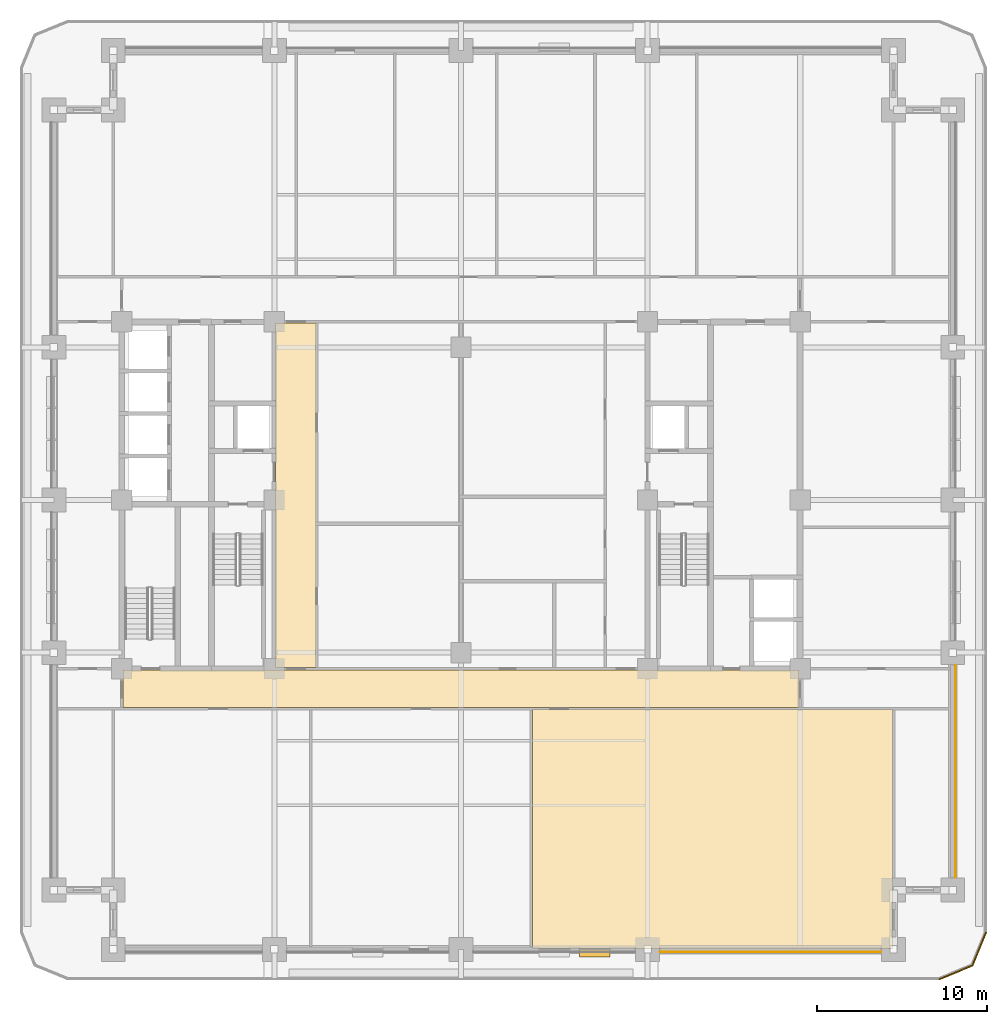
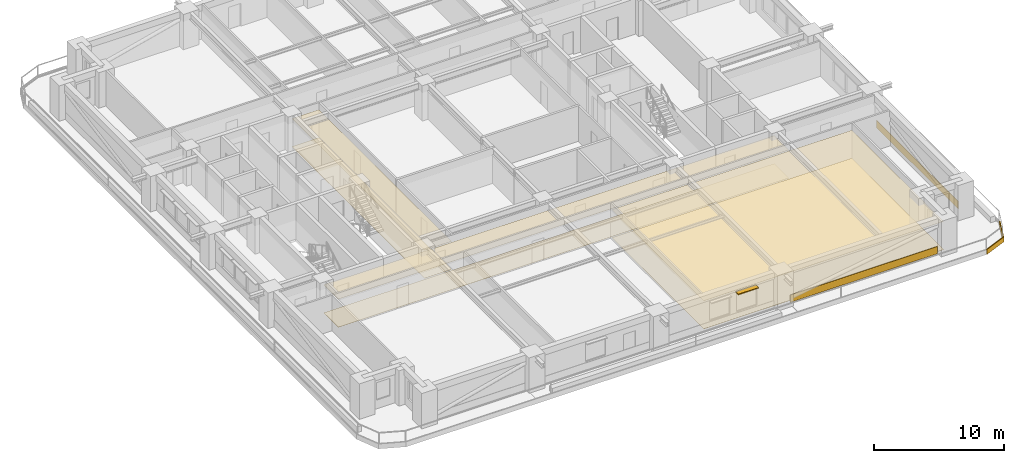
# One storey, part 11 of 14: 10 coverings, 1 shading device.
"""IFC4 building model written with IfcOpenShell, lengths in metres."""

from ifc_helpers import new_model, si_unit, direction, frame, frame_2d, origin, place, context, subcontext, project, spatial, polyline, rectangle, outline, extrude, material, layer, layer_set, type_object, element, save


model = new_model("IFC4")

# Units and contexts
model_context = context("Model", 3, precision=1e-05, world=origin(), true_north=direction((0.0, 1.0)))
body_context = subcontext(model_context, "Body", "Model", "MODEL_VIEW")
ifc_project = project(units=[si_unit("LENGTHUNIT", "METRE"), si_unit("AREAUNIT", "SQUARE_METRE"), si_unit("VOLUMEUNIT", "CUBIC_METRE"), si_unit("PLANEANGLEUNIT", "RADIAN"), si_unit("MASSUNIT", "GRAM", prefix="KILO")], contexts=[model_context])

# Site, building, storey
site_placement = place(None, origin())
site = spatial("IfcSite", under=ifc_project, at=site_placement, CompositionType="ELEMENT")
building_placement = place(site_placement, origin())
building = spatial("IfcBuilding", under=site, at=building_placement, Name="Zulmaris Gate Convention Tower", CompositionType="ELEMENT")
storey_placement = place(building_placement, frame((0.0, 0.0, 45.050048828125)))
storey = spatial("IfcBuildingStorey", under=building, at=storey_placement, Name="L10", CompositionType="ELEMENT", Elevation=45.050048828125)

# Coverings
ifc_material_1 = material(Name="Precast concrete C40/50", Category="concrete")
ifc_layer_1 = layer(ifc_material_1, 0.0400390625, Name="Precast concrete C40/50")
ifc_layer_set_1 = layer_set([ifc_layer_1], Name="Precast concrete C40/50")
covering_type_1 = type_object("IfcCoveringType", Name="CLAD-SPANDREL-PRECAST", PredefinedType="CLADDING", material=ifc_layer_set_1)
covering_1_placement = place(storey_placement, frame((11.72998046875, -26.64990234375, 0.0), z_axis=(0.0, 0.0, 1.0), x_axis=(1.0, 0.0, 0.0)))
element("IfcCovering", 1, at=covering_1_placement, inside=storey, type_object=covering_type_1, Name="CLD-L10-S-3_0", PredefinedType="CLADDING", context=body_context, shape_type="SweptSolid", body=[
    extrude(rectangle(XDim=13.0400390625, YDim=0.0400390625, at=frame_2d((6.52001953125, 0.0))), origin(), (0.0, 0.0, 1.0), 0.679931640625),
])
covering_2_placement = place(storey_placement, frame((29.14990234375, -22.27001953125, 0.0), z_axis=(0.0, 0.0, 1.0), x_axis=(0.0, 1.0, 0.0)))
element("IfcCovering", 2, at=covering_2_placement, inside=storey, type_object=covering_type_1, Name="CLD-L10-E-0_0", PredefinedType="CLADDING", context=body_context, shape_type="SweptSolid", body=[
    extrude(rectangle(XDim=12.5400390625, YDim=0.0400390625, at=frame_2d((6.27001953125, 0.0))), origin(), (0.0, 0.0, 1.0), 0.679931640625),
])
ifc_material_2 = material(Name="White Glazed Architectural Precast Concrete C40/50", Category="concrete")
ifc_layer_2 = layer(ifc_material_2, 0.080078125, Name="White Glazed Architectural Precast Concrete C40/50")
ifc_layer_set_2 = layer_set([ifc_layer_2], Name="White Glazed Architectural Precast Concrete C40/50")
covering_type_2 = type_object("IfcCoveringType", Name="CLAD-TRAY-FASCIA", PredefinedType="CLADDING", material=ifc_layer_set_2)
covering_3_placement = place(storey_placement, frame((28.184814453125, -28.262939453125, -0.2900390625), z_axis=(0.0, 0.0, 1.0), x_axis=(0.923873803533, 0.382697263049, 0.0)))
element("IfcCovering", 3, at=covering_3_placement, inside=storey, type_object=covering_type_2, Name="FSC-L10-TR-03", PredefinedType="CLADDING", context=body_context, shape_type="SweptSolid", body=[
    extrude(rectangle(XDim=2.142822265625, YDim=0.080078125, at=frame_2d((1.0712890625, 0.0))), origin(), (0.0, 0.0, 1.0), 0.4599609375),
])
covering_4_placement = place(storey_placement, frame((30.142822265625, -27.464599609375, -0.2900390625), z_axis=(0.0, 0.0, 1.0), x_axis=(0.382656984709, 0.923890487046, 0.0)))
element("IfcCovering", 4, at=covering_4_placement, inside=storey, type_object=covering_type_2, Name="FSC-L10-TR-04", PredefinedType="CLADDING", context=body_context, shape_type="SweptSolid", body=[
    extrude(rectangle(XDim=2.14306640625, YDim=0.080078125, at=frame_2d((1.071533203125, 0.0))), origin(), (0.0, 0.0, 1.0), 0.4599609375),
])
ifc_material_3 = material(Name="Mineral Fibre Acoustic Ceiling Tile")
ifc_layer_3 = layer(ifc_material_3, 0.02001953125, Name="Mineral Fibre Acoustic Ceiling Tile")
ifc_layer_set_3 = layer_set([ifc_layer_3], Name="Mineral Fibre Acoustic Ceiling Tile")
covering_type_3 = type_object("IfcCoveringType", Name="CLG-ACOUSTIC-600", PredefinedType="CEILING", material=ifc_layer_set_3)
covering_5_placement = place(storey_placement, frame((0.0, 0.0, 2.6279296875)))
element("IfcCovering", 5, at=covering_5_placement, inside=storey, type_object=covering_type_3, Name="CLG-L10-R27", PredefinedType="CEILING", context=body_context, shape_type="SweptSolid", body=[
    extrude(outline(polyline([(-19.93994140625, -12.239990234375), (19.93994140625, -12.239990234375), (19.93994140625, -10.010009765625), (-19.93994140625, -10.010009765625), (-19.93994140625, -12.239990234375)])), origin(), (0.0, 0.0, 1.0), 0.02001953125),
])
covering_6_placement = place(storey_placement, frame((0.0, 0.0, 2.6279296875)))
element("IfcCovering", 6, at=covering_6_placement, inside=storey, type_object=covering_type_3, Name="CLG-L10-R28", PredefinedType="CEILING", context=body_context, shape_type="SweptSolid", body=[
    extrude(outline(polyline([(-10.93994140625, -9.889892578125), (-8.56005859375, -9.889892578125), (-8.56005859375, 10.43994140625), (-10.93994140625, 10.43994140625), (-10.93994140625, -9.889892578125)])), origin(), (0.0, 0.0, 1.0), 0.02001953125),
])
covering_7_placement = place(storey_placement, frame((0.0, 0.0, 2.6279296875)))
element("IfcCovering", 7, at=covering_7_placement, inside=storey, type_object=covering_type_3, Name="CLG-L10-R38", PredefinedType="CEILING", context=body_context, shape_type="SweptSolid", body=[
    extrude(outline(polyline([(4.2099609375, -26.43994140625), (25.43994140625, -26.43994140625), (25.43994140625, -12.360107421875), (4.2099609375, -12.360107421875), (4.2099609375, -26.43994140625)])), origin(), (0.0, 0.0, 1.0), 0.02001953125),
])
ifc_material_4 = material(Name="Woven Acoustic Wool Carpet Tile")
ifc_layer_4 = layer(ifc_material_4, 0.02001953125, Name="Woven Acoustic Wool Carpet Tile")
ifc_layer_set_4 = layer_set([ifc_layer_4], Name="Woven Acoustic Wool Carpet Tile")
covering_type_4 = type_object("IfcCoveringType", Name="FLR-CARPET-12", PredefinedType="FLOORING", material=ifc_layer_set_4)
covering_8_placement = place(storey_placement, origin())
element("IfcCovering", 8, at=covering_8_placement, inside=storey, type_object=covering_type_4, Name="FLR-L10-R27", PredefinedType="FLOORING", context=body_context, shape_type="SweptSolid", body=[
    extrude(outline(polyline([(-19.93994140625, -12.239990234375), (19.93994140625, -12.239990234375), (19.93994140625, -10.010009765625), (-19.93994140625, -10.010009765625), (-19.93994140625, -12.239990234375)])), origin(), (0.0, 0.0, 1.0), 0.02001953125),
])
covering_9_placement = place(storey_placement, origin())
element("IfcCovering", 9, at=covering_9_placement, inside=storey, type_object=covering_type_4, Name="FLR-L10-R28", PredefinedType="FLOORING", context=body_context, shape_type="SweptSolid", body=[
    extrude(outline(polyline([(-10.93994140625, -9.889892578125), (-8.56005859375, -9.889892578125), (-8.56005859375, 10.43994140625), (-10.93994140625, 10.43994140625), (-10.93994140625, -9.889892578125)])), origin(), (0.0, 0.0, 1.0), 0.02001953125),
])
covering_10_placement = place(storey_placement, origin())
element("IfcCovering", 10, at=covering_10_placement, inside=storey, type_object=covering_type_4, Name="FLR-L10-R38", PredefinedType="FLOORING", context=body_context, shape_type="SweptSolid", body=[
    extrude(outline(polyline([(4.2099609375, -26.43994140625), (25.43994140625, -26.43994140625), (25.43994140625, -12.360107421875), (4.2099609375, -12.360107421875), (4.2099609375, -26.43994140625)])), origin(), (0.0, 0.0, 1.0), 0.02001953125),
])

# Shading device
ifc_material_5 = material(Name="Glazed Ceramic Terracotta", Category="masonry")
ifc_layer_5 = layer(ifc_material_5, 0.070068359375, Name="Glazed Ceramic Terracotta")
ifc_layer_set_5 = layer_set([ifc_layer_5], Name="Glazed Ceramic Terracotta")
shading_device_type = type_object("IfcShadingDeviceType", Name="SHD-SUNSHADE-TC", PredefinedType="AWNING", material=ifc_layer_set_5)
shading_device_placement = place(storey_placement, frame((6.985107421875, -26.719970703125, 2.530029296875), z_axis=(0.0, 0.0, 1.0), x_axis=(1.0, 0.0, 0.0)))
element("IfcShadingDevice", 11, at=shading_device_placement, inside=storey, type_object=shading_device_type, Name="SHD-EW-L10-S-2_0-3", PredefinedType="AWNING", context=body_context, shape_type="SweptSolid", body=[
    extrude(rectangle(XDim=1.7998046875, YDim=0.43994140625, at=frame_2d((0.89990234375, 0.0))), origin(), (0.0, 0.0, 1.0), 0.06982421875),
])

save(model, "model.ifc")
